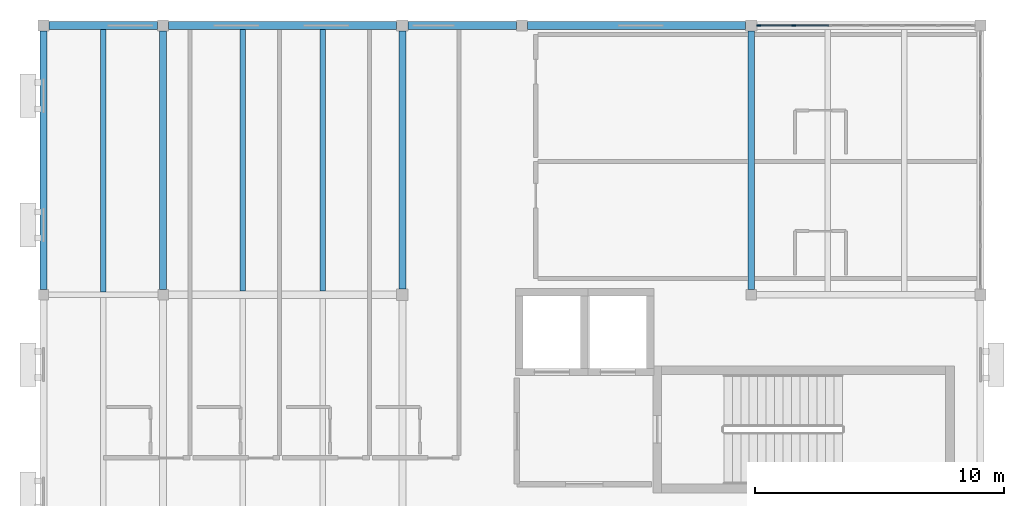
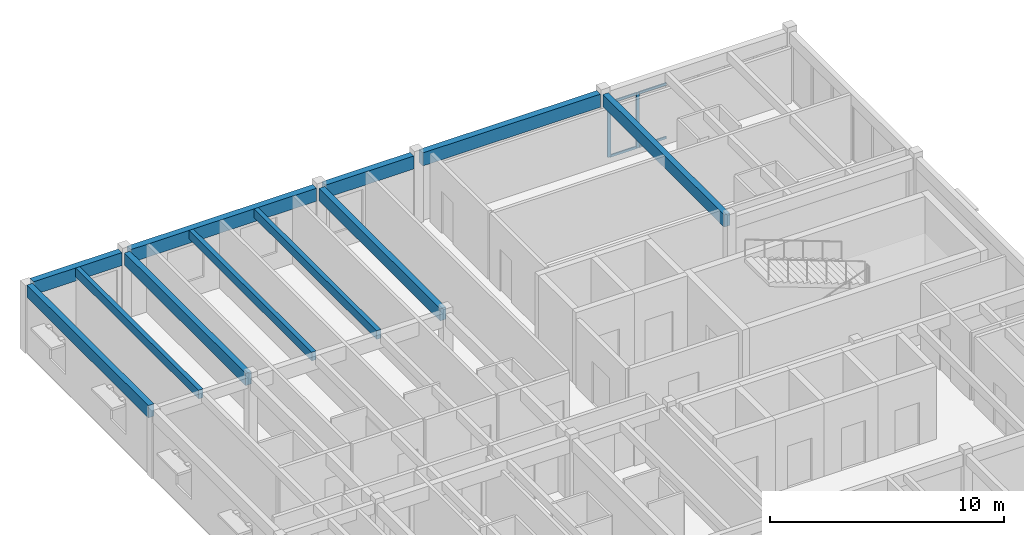
# One storey, part 2 of 14: 11 beams, 6 members, 1 element without a shape of its own.
"""IFC4 building model written with IfcOpenShell, lengths in metres."""

from ifc_helpers import new_model, si_unit, direction, frame, origin, origin_2d, place, context, subcontext, project, spatial, rectangle, extrude, material, material_profile, profile_set, type_object, element, aggregate, save


model = new_model("IFC4")

# Units and contexts
model_context = context("Model", 3, precision=1e-05, world=origin(), true_north=direction((0.0, 1.0)))
body_context = subcontext(model_context, "Body", "Model", "MODEL_VIEW")
ifc_project = project(units=[si_unit("LENGTHUNIT", "METRE"), si_unit("AREAUNIT", "SQUARE_METRE"), si_unit("VOLUMEUNIT", "CUBIC_METRE"), si_unit("PLANEANGLEUNIT", "RADIAN"), si_unit("MASSUNIT", "GRAM", prefix="KILO")], contexts=[model_context])

# Site, building, storey
site_placement = place(None, origin())
site = spatial("IfcSite", under=ifc_project, at=site_placement, CompositionType="ELEMENT")
building_placement = place(site_placement, origin())
building = spatial("IfcBuilding", under=site, at=building_placement, Name="Veldera Park Congress Hotel", CompositionType="ELEMENT")
storey_placement = place(building_placement, frame((0.0, 0.0, 42.800048828125)))
storey = spatial("IfcBuildingStorey", under=building, at=storey_placement, Name="L10", CompositionType="ELEMENT", Elevation=42.800048828125)

# Beams
ifc_material_1 = material(Name="Glulam GL28h (NDS 24F-V4)", Category="wood")
ifc_material_profile_1 = material_profile(ifc_material_1, rectangle(XDim=0.280029296875, YDim=0.639892578125, at=origin_2d()), Name="GL28h 280x640")
ifc_profile_set_1 = profile_set([ifc_material_profile_1], Name="Glulam GL28h (NDS 24F-V4)")
beam_type_1 = type_object("IfcBeamType", Name="BM-GL640", PredefinedType="BEAM", material=ifc_profile_set_1)
for number, where, z_axis, x_axis, name in (
    (1, (46.39990234375, 47.409912109375, 3.219970703125), (0.0, 1.0, 0.0), (-1.0, 0.0, 0.0), "L10 Girder BM-GL640 1942"),
    (2, (51.199951171875, 47.409912109375, 3.219970703125), (0.0, 1.0, 0.0), (-1.0, 0.0, 0.0), "L10 Girder BM-GL640 1945"),
):
    element("IfcBeam", number, at=place(storey_placement, frame(where, z_axis=z_axis, x_axis=x_axis)), inside=storey, type_object=beam_type_1, Name=name, PredefinedType="BEAM", context=body_context, shape_type="SweptSolid", body=[
        extrude(rectangle(XDim=0.280029296875, YDim=0.639892578125, at=origin_2d()), origin(), (0.0, 0.0, 1.0), 10.364990234375),
    ])
beam_1_placement = place(storey_placement, frame((60.800048828125, 47.425048828125, 3.219970703125), z_axis=(0.0, 1.0, 0.0), x_axis=(-1.0, 0.0, 0.0)))
element("IfcBeam", 3, at=beam_1_placement, inside=storey, type_object=beam_type_1, Name="L10 Girder BM-GL640 1948", PredefinedType="BEAM", context=body_context, shape_type="SweptSolid", body=[
    extrude(rectangle(XDim=0.280029296875, YDim=0.639892578125, at=origin_2d()), origin(), (0.0, 0.0, 1.0), 10.349853515625),
])
beam_2_placement = place(storey_placement, frame((74.800048828125, 47.409912109375, 3.219970703125), z_axis=(0.0, 1.0, 0.0), x_axis=(-1.0, 0.0, 0.0)))
element("IfcBeam", 4, at=beam_2_placement, inside=storey, type_object=beam_type_1, Name="L10 Girder BM-GL640 1959", PredefinedType="BEAM", context=body_context, shape_type="SweptSolid", body=[
    extrude(rectangle(XDim=0.280029296875, YDim=0.639892578125, at=origin_2d()), origin(), (0.0, 0.0, 1.0), 10.364990234375),
])
ifc_material_profile_2 = material_profile(ifc_material_1, rectangle(XDim=0.31494140625, YDim=0.679931640625, at=origin_2d()), Name="GL28h 315x680")
ifc_profile_set_2 = profile_set([ifc_material_profile_2], Name="Glulam GL28h (NDS 24F-V4)")
beam_type_2 = type_object("IfcBeamType", Name="BM-GL640E", PredefinedType="BEAM", material=ifc_profile_set_2)
beam_3_placement = place(storey_placement, frame((46.625, 58.0, 3.199951171875), z_axis=(1.0, 0.0, 0.0), x_axis=(0.0, 1.0, 0.0)))
element("IfcBeam", 5, at=beam_3_placement, inside=storey, type_object=beam_type_2, Name="L10 Girder BM-GL640E 1935", PredefinedType="BEAM", context=body_context, shape_type="SweptSolid", body=[
    extrude(rectangle(XDim=0.31494140625, YDim=0.679931640625, at=origin_2d()), origin(), (0.0, 0.0, 1.0), 4.35009765625),
])
beam_4_placement = place(storey_placement, frame((51.425048828125, 58.0, 3.199951171875), z_axis=(1.0, 0.0, 0.0), x_axis=(0.0, 1.0, 0.0)))
element("IfcBeam", 6, at=beam_4_placement, inside=storey, type_object=beam_type_2, Name="L10 Girder BM-GL640E 1936", PredefinedType="BEAM", context=body_context, shape_type="SweptSolid", body=[
    extrude(rectangle(XDim=0.31494140625, YDim=0.679931640625, at=origin_2d()), origin(), (0.0, 0.0, 1.0), 9.14990234375),
])
beam_5_placement = place(storey_placement, frame((61.02490234375, 58.0, 3.199951171875), z_axis=(1.0, 0.0, 0.0), x_axis=(0.0, 1.0, 0.0)))
element("IfcBeam", 7, at=beam_5_placement, inside=storey, type_object=beam_type_2, Name="L10 Girder BM-GL640E 1937", PredefinedType="BEAM", context=body_context, shape_type="SweptSolid", body=[
    extrude(rectangle(XDim=0.31494140625, YDim=0.679931640625, at=origin_2d()), origin(), (0.0, 0.0, 1.0), 4.35009765625),
])
beam_6_placement = place(storey_placement, frame((65.824951171875, 58.0, 3.199951171875), z_axis=(1.0, 0.0, 0.0), x_axis=(0.0, 1.0, 0.0)))
element("IfcBeam", 8, at=beam_6_placement, inside=storey, type_object=beam_type_2, Name="L10 Girder BM-GL640E 1938", PredefinedType="BEAM", context=body_context, shape_type="SweptSolid", body=[
    extrude(rectangle(XDim=0.31494140625, YDim=0.679931640625, at=origin_2d()), origin(), (0.0, 0.0, 1.0), 8.75),
])

# Curtain wall, members
ifc_material_2 = material(Name="Low-E Triple Insulating Glass Unit (SHGC 0.22)", Category="glass")
curtain_wall_type = type_object("IfcCurtainWallType", Name="CW-HTL", PredefinedType="NOTDEFINED", material=ifc_material_2)
curtain_wall_placement = place(storey_placement, origin())
curtain_wall = element("IfcCurtainWall", 9, at=curtain_wall_placement, inside=storey, type_object=curtain_wall_type, Name="L10 Curtain Wall CW3-HTLNN-L10-129", PredefinedType="NOTDEFINED")
ifc_material_3 = material(Name="Anodised Aluminium Alloy 6063-T6", Category="aluminium")
ifc_material_profile_3 = material_profile(ifc_material_3, rectangle(XDim=0.06005859375, YDim=0.159912109375, at=origin_2d()), Name="ALU 60x160")
ifc_profile_set_3 = profile_set([ifc_material_profile_3], Name="Anodised Aluminium Alloy 6063-T6")
member_type_1 = type_object("IfcMemberType", Name="CWM-160", PredefinedType="MULLION", material=ifc_profile_set_3)
member_1_placement = place(storey_placement, frame((76.5048828125, 58.0, 0.0), z_axis=(0.0, 0.0, 1.0), x_axis=(0.0, -1.0, 0.0)))
member_1 = element("IfcMember", 10, at=member_1_placement, type_object=member_type_1, Name="CW-HTL mullion 3", PredefinedType="MULLION", context=body_context, shape_type="SweptSolid", body=[
    extrude(rectangle(XDim=0.06005859375, YDim=0.159912109375, at=origin_2d()), origin(), (0.0, 0.0, 1.0), 2.85498046875),
])
member_2_placement = place(storey_placement, frame((75.094970703125, 58.0, 0.0), z_axis=(0.0, 0.0, 1.0), x_axis=(0.0, -1.0, 0.0)))
member_2 = element("IfcMember", 11, at=member_2_placement, type_object=member_type_1, Name="CW-HTL mullion 4", PredefinedType="MULLION", context=body_context, shape_type="SweptSolid", body=[
    extrude(rectangle(XDim=0.06005859375, YDim=0.159912109375, at=origin_2d()), origin(), (0.0, 0.0, 1.0), 2.85498046875),
])
ifc_material_profile_4 = material_profile(ifc_material_3, rectangle(XDim=0.06005859375, YDim=0.1201171875, at=origin_2d()), Name="ALU 60x120")
ifc_profile_set_4 = profile_set([ifc_material_profile_4], Name="Anodised Aluminium Alloy 6063-T6")
member_type_2 = type_object("IfcMemberType", Name="CWT-120", PredefinedType="USERDEFINED", material=ifc_profile_set_4)
member_3_placement = place(storey_placement, frame((77.9150390625, 58.0, 0.030029296875), z_axis=(-1.0, 0.0, 0.0), x_axis=(0.0, -1.0, 0.0)))
member_3 = element("IfcMember", 12, at=member_3_placement, type_object=member_type_2, Name="CW-HTL transom 2.1", ObjectType="TRANSOM", PredefinedType="USERDEFINED", context=body_context, shape_type="SweptSolid", body=[
    extrude(rectangle(XDim=0.06005859375, YDim=0.1201171875, at=origin_2d()), origin(), (0.0, 0.0, 1.0), 1.380126953125),
])
member_4_placement = place(storey_placement, frame((77.9150390625, 58.0, 2.824951171875), z_axis=(-1.0, 0.0, 0.0), x_axis=(0.0, -1.0, 0.0)))
member_4 = element("IfcMember", 13, at=member_4_placement, type_object=member_type_2, Name="CW-HTL transom 2.2", ObjectType="TRANSOM", PredefinedType="USERDEFINED", context=body_context, shape_type="SweptSolid", body=[
    extrude(rectangle(XDim=0.06005859375, YDim=0.1201171875, at=origin_2d()), origin(), (0.0, 0.0, 1.0), 1.380126953125),
])
member_5_placement = place(storey_placement, frame((76.47509765625, 58.0, 0.030029296875), z_axis=(-1.0, 0.0, 0.0), x_axis=(0.0, -1.0, 0.0)))
member_5 = element("IfcMember", 14, at=member_5_placement, type_object=member_type_2, Name="CW-HTL transom 3.1", ObjectType="TRANSOM", PredefinedType="USERDEFINED", context=body_context, shape_type="SweptSolid", body=[
    extrude(rectangle(XDim=0.06005859375, YDim=0.1201171875, at=origin_2d()), origin(), (0.0, 0.0, 1.0), 1.35009765625),
])
member_6_placement = place(storey_placement, frame((76.47509765625, 58.0, 2.824951171875), z_axis=(-1.0, 0.0, 0.0), x_axis=(0.0, -1.0, 0.0)))
member_6 = element("IfcMember", 15, at=member_6_placement, type_object=member_type_2, Name="CW-HTL transom 3.2", ObjectType="TRANSOM", PredefinedType="USERDEFINED", context=body_context, shape_type="SweptSolid", body=[
    extrude(rectangle(XDim=0.06005859375, YDim=0.1201171875, at=origin_2d()), origin(), (0.0, 0.0, 1.0), 1.35009765625),
])
aggregate(curtain_wall, [member_1, member_2, member_3, member_4, member_5, member_6])

# Beams
ifc_material_profile_5 = material_profile(ifc_material_1, rectangle(XDim=0.215087890625, YDim=0.449951171875, at=origin_2d()), Name="GL28h 215x450")
ifc_profile_set_5 = profile_set([ifc_material_profile_5], Name="Glulam GL28h (NDS 24F-V4)")
beam_type_3 = type_object("IfcBeamType", Name="JST-GL450", PredefinedType="JOIST", material=ifc_profile_set_5)
beam_7_placement = place(storey_placement, frame((48.800048828125, 47.320068359375, 3.31494140625), z_axis=(0.0, 1.0, 0.0), x_axis=(-1.0, 0.0, 0.0)))
element("IfcBeam", 16, at=beam_7_placement, inside=storey, type_object=beam_type_3, Name="L10 Floor Joist JST-GL450 1992", PredefinedType="JOIST", context=body_context, shape_type="SweptSolid", body=[
    extrude(rectangle(XDim=0.215087890625, YDim=0.449951171875, at=origin_2d()), origin(), (0.0, 0.0, 1.0), 10.5224609375),
])
for number, where, z_axis, x_axis, name in (
    (17, (54.39990234375, 47.357421875, 3.31494140625), (0.0, 1.0, 0.0), (-1.0, 0.0, 0.0), "L10 Floor Joist JST-GL450 1993"),
    (18, (57.60009765625, 47.357421875, 3.31494140625), (0.0, 1.0, 0.0), (-1.0, 0.0, 0.0), "L10 Floor Joist JST-GL450 1994"),
):
    element("IfcBeam", number, at=place(storey_placement, frame(where, z_axis=z_axis, x_axis=x_axis)), inside=storey, type_object=beam_type_3, Name=name, PredefinedType="JOIST", context=body_context, shape_type="SweptSolid", body=[
        extrude(rectangle(XDim=0.215087890625, YDim=0.449951171875, at=origin_2d()), origin(), (0.0, 0.0, 1.0), 10.485107421875),
    ])

save(model, "model.ifc")
